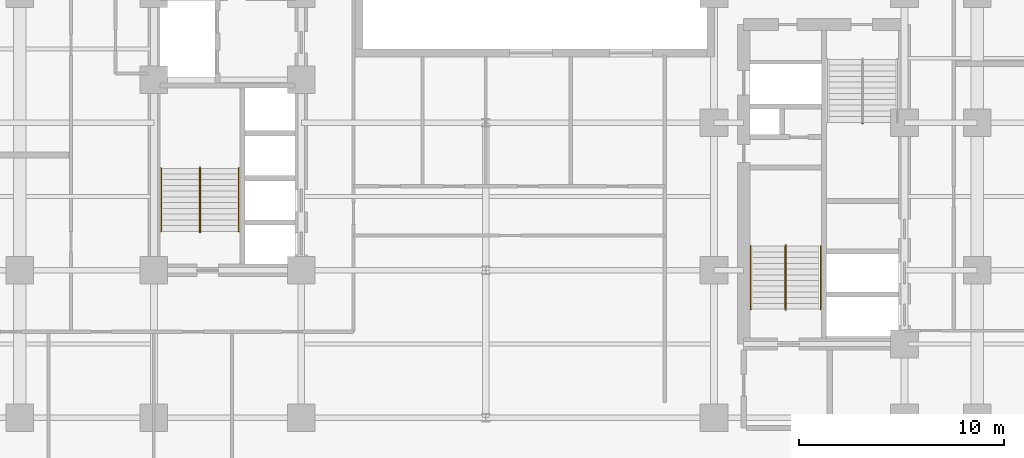
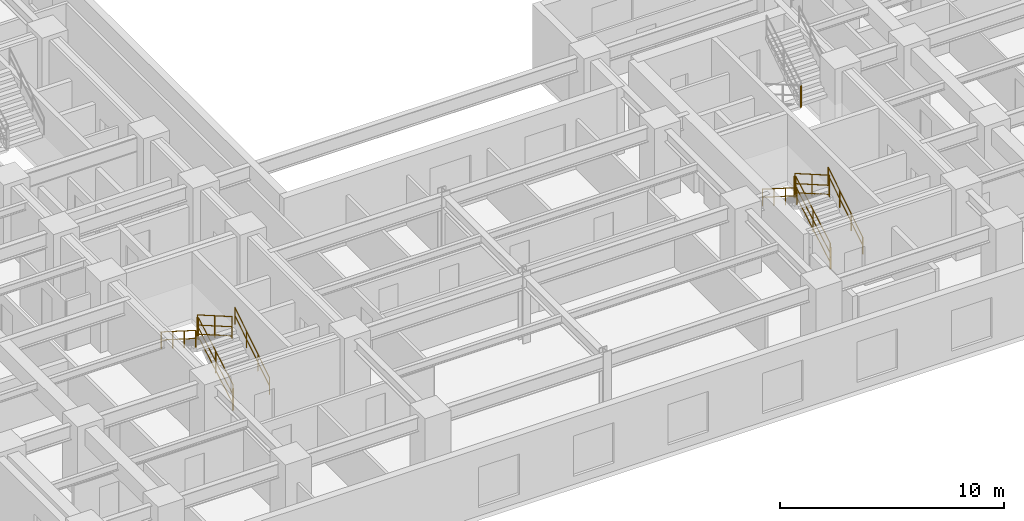
# One storey, part 7 of 9: 13 railings.
"""IFC4 building model written with IfcOpenShell, lengths in metres."""

from ifc_helpers import new_model, entity, si_unit, converted_unit, direction, frame, origin_with_axes, origin_2d_with_axis, place, context, subcontext, project, spatial, rectangle, circle, extrude, material, type_object, element, save


model = new_model("IFC4")

# Units and contexts
model_context = context("Model", 3, precision=1e-05, world=origin_with_axes(), true_north=direction((0.0, 1.0)))
body_context = subcontext(model_context, "Body", "Model", "MODEL_VIEW")
ifc_project = project(units=[si_unit("LENGTHUNIT", "METRE"), si_unit("AREAUNIT", "SQUARE_METRE"), si_unit("VOLUMEUNIT", "CUBIC_METRE"), converted_unit("PLANEANGLEUNIT", "DEGREE", entity("IfcPlaneAngleMeasure", 0.017453292519943295), si_unit("PLANEANGLEUNIT", "RADIAN"), dimensions=[0, 0, 0, 0, 0, 0, 0]), si_unit("MASSUNIT", "GRAM", prefix="KILO"), si_unit("THERMODYNAMICTEMPERATUREUNIT", "KELVIN")], contexts=[model_context])

# Site, building, storey
site_placement = place(None, origin_with_axes())
site = spatial("IfcSite", under=ifc_project, at=site_placement, CompositionType="ELEMENT")
building_placement = place(site_placement, origin_with_axes())
building = spatial("IfcBuilding", under=site, at=building_placement, Name="Varnlund Millrace Tower", CompositionType="ELEMENT")
storey_placement = place(building_placement, frame((0.0, 0.0, 63.9), z_axis=(0.0, 0.0, 1.0), x_axis=(1.0, 0.0, 0.0)))
storey = spatial("IfcBuildingStorey", under=building, at=storey_placement, Name="L15", CompositionType="ELEMENT", Elevation=63.9)

# Railings
ifc_material_1 = material(Name="Painted steel stair well balustrade guard", Category="steel")
railing_type_1 = type_object("IfcRailingType", Name="Type-StairGuard-1150", PredefinedType="GUARDRAIL", material=ifc_material_1)
railing_1_placement = place(storey_placement, frame((0.0, 0.0, -63.9), z_axis=(0.0, 0.0, 1.0), x_axis=(1.0, 0.0, 0.0)))
element("IfcRailing", 1, at=railing_1_placement, inside=storey, type_object=railing_type_1, Name="Type-StairGuard-1150", PredefinedType="GUARDRAIL", context=body_context, shape_type="SweptSolid", body=[
    extrude(circle(Radius=0.024, at=origin_2d_with_axis()), frame((13.675, 12.7, 65.227273), z_axis=(0.0, 0.866696, 0.498836), x_axis=(-1.0, 0.0, 0.0)), (0.0, 0.0, 1.0), 3.553725),
    extrude(circle(Radius=0.024, at=origin_2d_with_axis()), frame((13.675, 12.7, 64.177273), z_axis=(0.0, 0.866696, 0.498836), x_axis=(-1.0, 0.0, 0.0)), (0.0, 0.0, 1.0), 3.553725),
    extrude(circle(Radius=0.024, at=origin_2d_with_axis()), frame((13.675, 12.7, 64.675273), z_axis=(0.0, 0.866696, 0.498836), x_axis=(-1.0, 0.0, 0.0)), (0.0, 0.0, 1.0), 3.553725),
    extrude(rectangle(XDim=0.04, YDim=0.04, at=origin_2d_with_axis()), frame((13.675, 12.7, 64.037273), z_axis=(0.0, 0.0, 1.0), x_axis=(1.0, 0.0, 0.0)), (0.0, 0.0, 1.0), 1.19),
    extrude(rectangle(XDim=0.04, YDim=0.04, at=origin_2d_with_axis()), frame((13.675, 14.24, 64.923636), z_axis=(0.0, 0.0, 1.0), x_axis=(1.0, 0.0, 0.0)), (0.0, 0.0, 1.0), 1.19),
    extrude(rectangle(XDim=0.04, YDim=0.04, at=origin_2d_with_axis()), frame((13.675, 15.78, 65.81), z_axis=(0.0, 0.0, 1.0), x_axis=(1.0, 0.0, 0.0)), (0.0, 0.0, 1.0), 1.19),
])
railing_2_placement = place(storey_placement, frame((0.0, 0.0, -63.9), z_axis=(0.0, 0.0, 1.0), x_axis=(1.0, 0.0, 0.0)))
element("IfcRailing", 2, at=railing_2_placement, inside=storey, type_object=railing_type_1, Name="Type-StairGuard-1150", PredefinedType="GUARDRAIL", context=body_context, shape_type="SweptSolid", body=[
    extrude(circle(Radius=0.024, at=origin_2d_with_axis()), frame((13.625, 15.83, 67.0), z_axis=(1.0, 0.0, 0.0), x_axis=(0.0, 1.0, 0.0)), (0.0, 0.0, 1.0), 0.05),
    extrude(circle(Radius=0.024, at=origin_2d_with_axis()), frame((13.625, 15.83, 65.95), z_axis=(1.0, 0.0, 0.0), x_axis=(0.0, 1.0, 0.0)), (0.0, 0.0, 1.0), 0.05),
    extrude(circle(Radius=0.024, at=origin_2d_with_axis()), frame((13.625, 15.83, 66.448), z_axis=(1.0, 0.0, 0.0), x_axis=(0.0, 1.0, 0.0)), (0.0, 0.0, 1.0), 0.05),
    extrude(rectangle(XDim=0.04, YDim=0.04, at=origin_2d_with_axis()), frame((13.625, 15.83, 65.81), z_axis=(0.0, 0.0, 1.0), x_axis=(1.0, 0.0, 0.0)), (0.0, 0.0, 1.0), 1.19),
    extrude(rectangle(XDim=0.04, YDim=0.04, at=origin_2d_with_axis()), frame((13.675, 15.83, 65.81), z_axis=(0.0, 0.0, 1.0), x_axis=(1.0, 0.0, 0.0)), (0.0, 0.0, 1.0), 1.19),
])
railing_3_placement = place(storey_placement, frame((0.0, 0.0, -63.9), z_axis=(0.0, 0.0, 1.0), x_axis=(1.0, 0.0, 0.0)))
element("IfcRailing", 3, at=railing_3_placement, inside=storey, type_object=railing_type_1, Name="Type-StairGuard-1150", PredefinedType="GUARDRAIL", context=body_context, shape_type="SweptSolid", body=[
    extrude(circle(Radius=0.024, at=origin_2d_with_axis()), frame((13.625, 15.78, 67.177273), z_axis=(0.0, -0.866696, 0.498836), x_axis=(1.0, 0.0, 0.0)), (0.0, 0.0, 1.0), 3.553725),
    extrude(circle(Radius=0.024, at=origin_2d_with_axis()), frame((13.625, 15.78, 66.127273), z_axis=(0.0, -0.866696, 0.498836), x_axis=(1.0, 0.0, 0.0)), (0.0, 0.0, 1.0), 3.553725),
    extrude(circle(Radius=0.024, at=origin_2d_with_axis()), frame((13.625, 15.78, 66.625273), z_axis=(0.0, -0.866696, 0.498836), x_axis=(1.0, 0.0, 0.0)), (0.0, 0.0, 1.0), 3.553725),
    extrude(rectangle(XDim=0.04, YDim=0.04, at=origin_2d_with_axis()), frame((13.625, 15.78, 65.987273), z_axis=(0.0, 0.0, 1.0), x_axis=(1.0, 0.0, 0.0)), (0.0, 0.0, 1.0), 1.19),
    extrude(rectangle(XDim=0.04, YDim=0.04, at=origin_2d_with_axis()), frame((13.625, 14.24, 66.873636), z_axis=(0.0, 0.0, 1.0), x_axis=(1.0, 0.0, 0.0)), (0.0, 0.0, 1.0), 1.19),
    extrude(rectangle(XDim=0.04, YDim=0.04, at=origin_2d_with_axis()), frame((13.625, 12.7, 67.76), z_axis=(0.0, 0.0, 1.0), x_axis=(1.0, 0.0, 0.0)), (0.0, 0.0, 1.0), 1.19),
])
railing_4_placement = place(storey_placement, frame((0.0, 0.0, -63.9), z_axis=(0.0, 0.0, 1.0), x_axis=(1.0, 0.0, 0.0)))
element("IfcRailing", 4, at=railing_4_placement, inside=storey, type_object=railing_type_1, Name="Type-StairGuard-1150", PredefinedType="GUARDRAIL", context=body_context, shape_type="SweptSolid", body=[
    extrude(circle(Radius=0.024, at=origin_2d_with_axis()), frame((13.625, 12.65, 65.05), z_axis=(1.0, 0.0, 0.0), x_axis=(0.0, 1.0, 0.0)), (0.0, 0.0, 1.0), 0.05),
    extrude(circle(Radius=0.024, at=origin_2d_with_axis()), frame((13.625, 12.65, 64.0), z_axis=(1.0, 0.0, 0.0), x_axis=(0.0, 1.0, 0.0)), (0.0, 0.0, 1.0), 0.05),
    extrude(circle(Radius=0.024, at=origin_2d_with_axis()), frame((13.625, 12.65, 64.498), z_axis=(1.0, 0.0, 0.0), x_axis=(0.0, 1.0, 0.0)), (0.0, 0.0, 1.0), 0.05),
    extrude(rectangle(XDim=0.04, YDim=0.04, at=origin_2d_with_axis()), frame((13.625, 12.65, 63.86), z_axis=(0.0, 0.0, 1.0), x_axis=(1.0, 0.0, 0.0)), (0.0, 0.0, 1.0), 1.19),
    extrude(rectangle(XDim=0.04, YDim=0.04, at=origin_2d_with_axis()), frame((13.675, 12.65, 63.86), z_axis=(0.0, 0.0, 1.0), x_axis=(1.0, 0.0, 0.0)), (0.0, 0.0, 1.0), 1.19),
])
railing_5_placement = place(storey_placement, frame((0.0, 0.0, -63.9), z_axis=(0.0, 0.0, 1.0), x_axis=(1.0, 0.0, 0.0)))
element("IfcRailing", 5, at=railing_5_placement, inside=storey, type_object=railing_type_1, Name="Type-StairGuard-1150", PredefinedType="GUARDRAIL", context=body_context, shape_type="SweptSolid", body=[
    extrude(circle(Radius=0.024, at=origin_2d_with_axis()), frame((42.275, 8.9, 65.227273), z_axis=(0.0, 0.866696, 0.498836), x_axis=(-1.0, 0.0, 0.0)), (0.0, 0.0, 1.0), 3.553725),
    extrude(circle(Radius=0.024, at=origin_2d_with_axis()), frame((42.275, 8.9, 64.177273), z_axis=(0.0, 0.866696, 0.498836), x_axis=(-1.0, 0.0, 0.0)), (0.0, 0.0, 1.0), 3.553725),
    extrude(circle(Radius=0.024, at=origin_2d_with_axis()), frame((42.275, 8.9, 64.675273), z_axis=(0.0, 0.866696, 0.498836), x_axis=(-1.0, 0.0, 0.0)), (0.0, 0.0, 1.0), 3.553725),
    extrude(rectangle(XDim=0.04, YDim=0.04, at=origin_2d_with_axis()), frame((42.275, 8.9, 64.037273), z_axis=(0.0, 0.0, 1.0), x_axis=(1.0, 0.0, 0.0)), (0.0, 0.0, 1.0), 1.19),
    extrude(rectangle(XDim=0.04, YDim=0.04, at=origin_2d_with_axis()), frame((42.275, 10.44, 64.923636), z_axis=(0.0, 0.0, 1.0), x_axis=(1.0, 0.0, 0.0)), (0.0, 0.0, 1.0), 1.19),
    extrude(rectangle(XDim=0.04, YDim=0.04, at=origin_2d_with_axis()), frame((42.275, 11.98, 65.81), z_axis=(0.0, 0.0, 1.0), x_axis=(1.0, 0.0, 0.0)), (0.0, 0.0, 1.0), 1.19),
])
railing_6_placement = place(storey_placement, frame((0.0, 0.0, -63.9), z_axis=(0.0, 0.0, 1.0), x_axis=(1.0, 0.0, 0.0)))
element("IfcRailing", 6, at=railing_6_placement, inside=storey, type_object=railing_type_1, Name="Type-StairGuard-1150", PredefinedType="GUARDRAIL", context=body_context, shape_type="SweptSolid", body=[
    extrude(circle(Radius=0.024, at=origin_2d_with_axis()), frame((42.225, 12.03, 67.0), z_axis=(1.0, 0.0, 0.0), x_axis=(0.0, 1.0, 0.0)), (0.0, 0.0, 1.0), 0.05),
    extrude(circle(Radius=0.024, at=origin_2d_with_axis()), frame((42.225, 12.03, 65.95), z_axis=(1.0, 0.0, 0.0), x_axis=(0.0, 1.0, 0.0)), (0.0, 0.0, 1.0), 0.05),
    extrude(circle(Radius=0.024, at=origin_2d_with_axis()), frame((42.225, 12.03, 66.448), z_axis=(1.0, 0.0, 0.0), x_axis=(0.0, 1.0, 0.0)), (0.0, 0.0, 1.0), 0.05),
    extrude(rectangle(XDim=0.04, YDim=0.04, at=origin_2d_with_axis()), frame((42.225, 12.03, 65.81), z_axis=(0.0, 0.0, 1.0), x_axis=(1.0, 0.0, 0.0)), (0.0, 0.0, 1.0), 1.19),
    extrude(rectangle(XDim=0.04, YDim=0.04, at=origin_2d_with_axis()), frame((42.275, 12.03, 65.81), z_axis=(0.0, 0.0, 1.0), x_axis=(1.0, 0.0, 0.0)), (0.0, 0.0, 1.0), 1.19),
])
railing_7_placement = place(storey_placement, frame((0.0, 0.0, -63.9), z_axis=(0.0, 0.0, 1.0), x_axis=(1.0, 0.0, 0.0)))
element("IfcRailing", 7, at=railing_7_placement, inside=storey, type_object=railing_type_1, Name="Type-StairGuard-1150", PredefinedType="GUARDRAIL", context=body_context, shape_type="SweptSolid", body=[
    extrude(circle(Radius=0.024, at=origin_2d_with_axis()), frame((42.225, 11.98, 67.177273), z_axis=(0.0, -0.866696, 0.498836), x_axis=(1.0, 0.0, 0.0)), (0.0, 0.0, 1.0), 3.553725),
    extrude(circle(Radius=0.024, at=origin_2d_with_axis()), frame((42.225, 11.98, 66.127273), z_axis=(0.0, -0.866696, 0.498836), x_axis=(1.0, 0.0, 0.0)), (0.0, 0.0, 1.0), 3.553725),
    extrude(circle(Radius=0.024, at=origin_2d_with_axis()), frame((42.225, 11.98, 66.625273), z_axis=(0.0, -0.866696, 0.498836), x_axis=(1.0, 0.0, 0.0)), (0.0, 0.0, 1.0), 3.553725),
    extrude(rectangle(XDim=0.04, YDim=0.04, at=origin_2d_with_axis()), frame((42.225, 11.98, 65.987273), z_axis=(0.0, 0.0, 1.0), x_axis=(1.0, 0.0, 0.0)), (0.0, 0.0, 1.0), 1.19),
    extrude(rectangle(XDim=0.04, YDim=0.04, at=origin_2d_with_axis()), frame((42.225, 10.44, 66.873636), z_axis=(0.0, 0.0, 1.0), x_axis=(1.0, 0.0, 0.0)), (0.0, 0.0, 1.0), 1.19),
    extrude(rectangle(XDim=0.04, YDim=0.04, at=origin_2d_with_axis()), frame((42.225, 8.9, 67.76), z_axis=(0.0, 0.0, 1.0), x_axis=(1.0, 0.0, 0.0)), (0.0, 0.0, 1.0), 1.19),
])
railing_8_placement = place(storey_placement, frame((0.0, 0.0, -63.9), z_axis=(0.0, 0.0, 1.0), x_axis=(1.0, 0.0, 0.0)))
element("IfcRailing", 8, at=railing_8_placement, inside=storey, type_object=railing_type_1, Name="Type-StairGuard-1150", PredefinedType="GUARDRAIL", context=body_context, shape_type="SweptSolid", body=[
    extrude(circle(Radius=0.024, at=origin_2d_with_axis()), frame((42.225, 8.85, 65.05), z_axis=(1.0, 0.0, 0.0), x_axis=(0.0, 1.0, 0.0)), (0.0, 0.0, 1.0), 0.05),
    extrude(circle(Radius=0.024, at=origin_2d_with_axis()), frame((42.225, 8.85, 64.0), z_axis=(1.0, 0.0, 0.0), x_axis=(0.0, 1.0, 0.0)), (0.0, 0.0, 1.0), 0.05),
    extrude(circle(Radius=0.024, at=origin_2d_with_axis()), frame((42.225, 8.85, 64.498), z_axis=(1.0, 0.0, 0.0), x_axis=(0.0, 1.0, 0.0)), (0.0, 0.0, 1.0), 0.05),
    extrude(rectangle(XDim=0.04, YDim=0.04, at=origin_2d_with_axis()), frame((42.225, 8.85, 63.86), z_axis=(0.0, 0.0, 1.0), x_axis=(1.0, 0.0, 0.0)), (0.0, 0.0, 1.0), 1.19),
    extrude(rectangle(XDim=0.04, YDim=0.04, at=origin_2d_with_axis()), frame((42.275, 8.85, 63.86), z_axis=(0.0, 0.0, 1.0), x_axis=(1.0, 0.0, 0.0)), (0.0, 0.0, 1.0), 1.19),
])
railing_9_placement = place(storey_placement, frame((0.0, 0.0, -63.9), z_axis=(0.0, 0.0, 1.0), x_axis=(1.0, 0.0, 0.0)))
element("IfcRailing", 9, at=railing_9_placement, inside=storey, type_object=railing_type_1, Name="Type-StairGuard-1150", PredefinedType="GUARDRAIL", context=body_context, shape_type="SweptSolid", body=[
    extrude(circle(Radius=0.024, at=origin_2d_with_axis()), frame((46.025, 17.97, 67.0), z_axis=(-1.0, 0.0, 0.0), x_axis=(0.0, -1.0, 0.0)), (0.0, 0.0, 1.0), 0.05),
    extrude(circle(Radius=0.024, at=origin_2d_with_axis()), frame((46.025, 17.97, 65.95), z_axis=(-1.0, 0.0, 0.0), x_axis=(0.0, -1.0, 0.0)), (0.0, 0.0, 1.0), 0.05),
    extrude(circle(Radius=0.024, at=origin_2d_with_axis()), frame((46.025, 17.97, 66.448), z_axis=(-1.0, 0.0, 0.0), x_axis=(0.0, -1.0, 0.0)), (0.0, 0.0, 1.0), 0.05),
    extrude(rectangle(XDim=0.04, YDim=0.04, at=origin_2d_with_axis()), frame((46.025, 17.97, 65.81), z_axis=(0.0, 0.0, 1.0), x_axis=(1.0, 0.0, 0.0)), (0.0, 0.0, 1.0), 1.19),
    extrude(rectangle(XDim=0.04, YDim=0.04, at=origin_2d_with_axis()), frame((45.975, 17.97, 65.81), z_axis=(0.0, 0.0, 1.0), x_axis=(1.0, 0.0, 0.0)), (0.0, 0.0, 1.0), 1.19),
])
ifc_material_2 = material(Name="Brushed architectural bronze stair handrail", Category="aluminium")
railing_type_2 = type_object("IfcRailingType", Name="Type-StairHandrail-900", PredefinedType="HANDRAIL", material=ifc_material_2)
railing_10_placement = place(storey_placement, frame((0.0, 0.0, -63.9), z_axis=(0.0, 0.0, 1.0), x_axis=(1.0, 0.0, 0.0)))
element("IfcRailing", 10, at=railing_10_placement, inside=storey, type_object=railing_type_2, Name="Type-StairHandrail-900", PredefinedType="HANDRAIL", context=body_context, shape_type="SweptSolid", body=[
    extrude(circle(Radius=0.024, at=origin_2d_with_axis()), frame((15.55, 12.7, 64.956995), z_axis=(0.0, 0.844902, 0.534922), x_axis=(-1.0, 0.0, 0.0)), (0.0, 0.0, 1.0), 3.645394),
    extrude(circle(Radius=0.024, at=origin_2d_with_axis()), frame((15.55, 12.7, 64.517134), z_axis=(0.0, 0.844902, 0.534922), x_axis=(-1.0, 0.0, 0.0)), (0.0, 0.0, 1.0), 3.645394),
    extrude(rectangle(XDim=0.04, YDim=0.04, at=origin_2d_with_axis()), frame((15.55, 12.7, 64.037273), z_axis=(0.0, 0.0, 1.0), x_axis=(1.0, 0.0, 0.0)), (0.0, 0.0, 1.0), 0.919722),
    extrude(rectangle(XDim=0.04, YDim=0.04, at=origin_2d_with_axis()), frame((15.55, 13.726667, 64.687273), z_axis=(0.0, 0.0, 1.0), x_axis=(1.0, 0.0, 0.0)), (0.0, 0.0, 1.0), 0.919722),
    extrude(rectangle(XDim=0.04, YDim=0.04, at=origin_2d_with_axis()), frame((15.55, 14.753333, 65.337273), z_axis=(0.0, 0.0, 1.0), x_axis=(1.0, 0.0, 0.0)), (0.0, 0.0, 1.0), 0.919722),
    extrude(rectangle(XDim=0.04, YDim=0.04, at=origin_2d_with_axis()), frame((15.55, 15.78, 65.987273), z_axis=(0.0, 0.0, 1.0), x_axis=(1.0, 0.0, 0.0)), (0.0, 0.0, 1.0), 0.919722),
])
railing_11_placement = place(storey_placement, frame((0.0, 0.0, -63.9), z_axis=(0.0, 0.0, 1.0), x_axis=(1.0, 0.0, 0.0)))
element("IfcRailing", 11, at=railing_11_placement, inside=storey, type_object=railing_type_2, Name="Type-StairHandrail-900", PredefinedType="HANDRAIL", context=body_context, shape_type="SweptSolid", body=[
    extrude(circle(Radius=0.024, at=origin_2d_with_axis()), frame((11.75, 15.78, 66.906995), z_axis=(0.0, -0.844902, 0.534922), x_axis=(1.0, 0.0, 0.0)), (0.0, 0.0, 1.0), 3.645394),
    extrude(circle(Radius=0.024, at=origin_2d_with_axis()), frame((11.75, 15.78, 66.467134), z_axis=(0.0, -0.844902, 0.534922), x_axis=(1.0, 0.0, 0.0)), (0.0, 0.0, 1.0), 3.645394),
    extrude(rectangle(XDim=0.04, YDim=0.04, at=origin_2d_with_axis()), frame((11.75, 15.78, 65.987273), z_axis=(0.0, 0.0, 1.0), x_axis=(1.0, 0.0, 0.0)), (0.0, 0.0, 1.0), 0.919722),
    extrude(rectangle(XDim=0.04, YDim=0.04, at=origin_2d_with_axis()), frame((11.75, 14.753333, 66.637273), z_axis=(0.0, 0.0, 1.0), x_axis=(1.0, 0.0, 0.0)), (0.0, 0.0, 1.0), 0.919722),
    extrude(rectangle(XDim=0.04, YDim=0.04, at=origin_2d_with_axis()), frame((11.75, 13.726667, 67.287273), z_axis=(0.0, 0.0, 1.0), x_axis=(1.0, 0.0, 0.0)), (0.0, 0.0, 1.0), 0.919722),
    extrude(rectangle(XDim=0.04, YDim=0.04, at=origin_2d_with_axis()), frame((11.75, 12.7, 67.937273), z_axis=(0.0, 0.0, 1.0), x_axis=(1.0, 0.0, 0.0)), (0.0, 0.0, 1.0), 0.919722),
])
railing_12_placement = place(storey_placement, frame((0.0, 0.0, -63.9), z_axis=(0.0, 0.0, 1.0), x_axis=(1.0, 0.0, 0.0)))
element("IfcRailing", 12, at=railing_12_placement, inside=storey, type_object=railing_type_2, Name="Type-StairHandrail-900", PredefinedType="HANDRAIL", context=body_context, shape_type="SweptSolid", body=[
    extrude(circle(Radius=0.024, at=origin_2d_with_axis()), frame((43.95, 8.9, 64.956995), z_axis=(0.0, 0.844902, 0.534922), x_axis=(-1.0, 0.0, 0.0)), (0.0, 0.0, 1.0), 3.645394),
    extrude(circle(Radius=0.024, at=origin_2d_with_axis()), frame((43.95, 8.9, 64.517134), z_axis=(0.0, 0.844902, 0.534922), x_axis=(-1.0, 0.0, 0.0)), (0.0, 0.0, 1.0), 3.645394),
    extrude(rectangle(XDim=0.04, YDim=0.04, at=origin_2d_with_axis()), frame((43.95, 8.9, 64.037273), z_axis=(0.0, 0.0, 1.0), x_axis=(1.0, 0.0, 0.0)), (0.0, 0.0, 1.0), 0.919722),
    extrude(rectangle(XDim=0.04, YDim=0.04, at=origin_2d_with_axis()), frame((43.95, 9.926667, 64.687273), z_axis=(0.0, 0.0, 1.0), x_axis=(1.0, 0.0, 0.0)), (0.0, 0.0, 1.0), 0.919722),
    extrude(rectangle(XDim=0.04, YDim=0.04, at=origin_2d_with_axis()), frame((43.95, 10.953333, 65.337273), z_axis=(0.0, 0.0, 1.0), x_axis=(1.0, 0.0, 0.0)), (0.0, 0.0, 1.0), 0.919722),
    extrude(rectangle(XDim=0.04, YDim=0.04, at=origin_2d_with_axis()), frame((43.95, 11.98, 65.987273), z_axis=(0.0, 0.0, 1.0), x_axis=(1.0, 0.0, 0.0)), (0.0, 0.0, 1.0), 0.919722),
])
railing_13_placement = place(storey_placement, frame((0.0, 0.0, -63.9), z_axis=(0.0, 0.0, 1.0), x_axis=(1.0, 0.0, 0.0)))
element("IfcRailing", 13, at=railing_13_placement, inside=storey, type_object=railing_type_2, Name="Type-StairHandrail-900", PredefinedType="HANDRAIL", context=body_context, shape_type="SweptSolid", body=[
    extrude(circle(Radius=0.024, at=origin_2d_with_axis()), frame((40.55, 11.98, 66.906995), z_axis=(0.0, -0.844902, 0.534922), x_axis=(1.0, 0.0, 0.0)), (0.0, 0.0, 1.0), 3.645394),
    extrude(circle(Radius=0.024, at=origin_2d_with_axis()), frame((40.55, 11.98, 66.467134), z_axis=(0.0, -0.844902, 0.534922), x_axis=(1.0, 0.0, 0.0)), (0.0, 0.0, 1.0), 3.645394),
    extrude(rectangle(XDim=0.04, YDim=0.04, at=origin_2d_with_axis()), frame((40.55, 11.98, 65.987273), z_axis=(0.0, 0.0, 1.0), x_axis=(1.0, 0.0, 0.0)), (0.0, 0.0, 1.0), 0.919722),
    extrude(rectangle(XDim=0.04, YDim=0.04, at=origin_2d_with_axis()), frame((40.55, 10.953333, 66.637273), z_axis=(0.0, 0.0, 1.0), x_axis=(1.0, 0.0, 0.0)), (0.0, 0.0, 1.0), 0.919722),
    extrude(rectangle(XDim=0.04, YDim=0.04, at=origin_2d_with_axis()), frame((40.55, 9.926667, 67.287273), z_axis=(0.0, 0.0, 1.0), x_axis=(1.0, 0.0, 0.0)), (0.0, 0.0, 1.0), 0.919722),
    extrude(rectangle(XDim=0.04, YDim=0.04, at=origin_2d_with_axis()), frame((40.55, 8.9, 67.937273), z_axis=(0.0, 0.0, 1.0), x_axis=(1.0, 0.0, 0.0)), (0.0, 0.0, 1.0), 0.919722),
])

save(model, "model.ifc")
